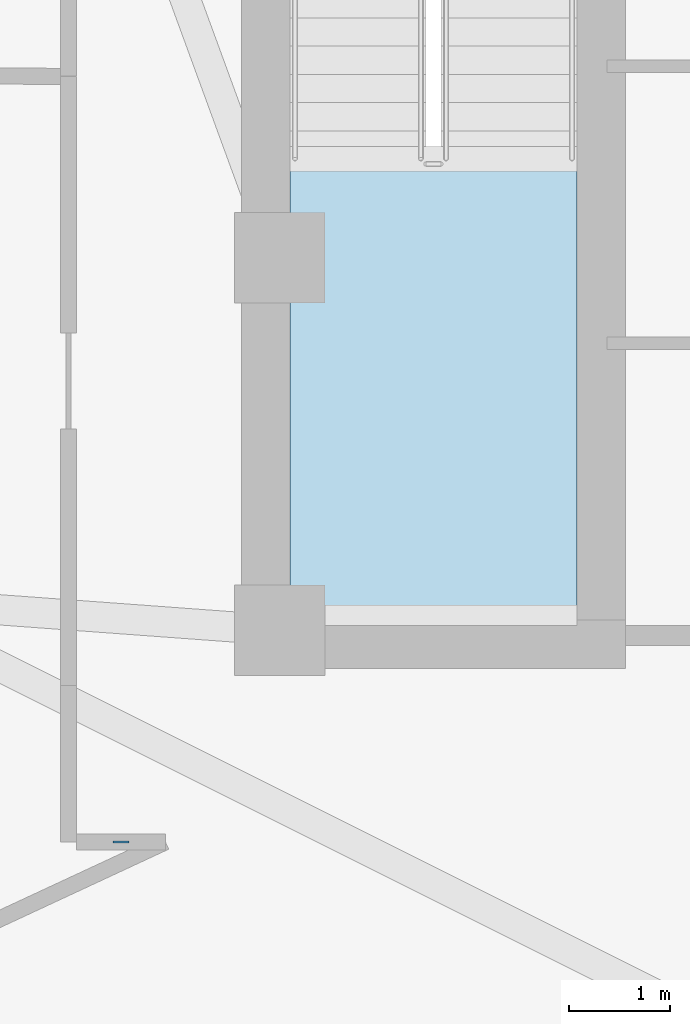
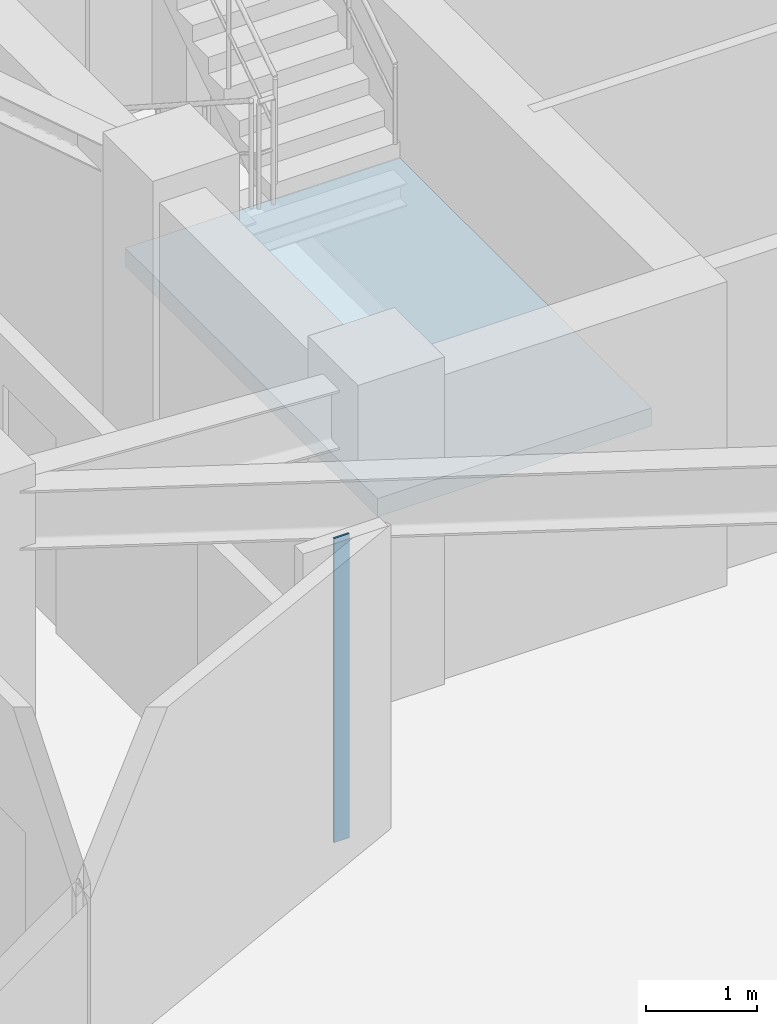
# One storey, part 2 of 10: 1 plate, 1 slab, 1 element without a shape of its own.
"""IFC4 building model written with IfcOpenShell, lengths in metres."""

from ifc_helpers import new_model, si_unit, direction, frame, origin, origin_2d, place, context, subcontext, project, spatial, polyline, rectangle, outline, extrude, material, layer, layer_set, type_object, element, aggregate, save


model = new_model("IFC4")

# Units and contexts
model_context = context("Model", 3, precision=1e-05, world=origin(), true_north=direction((0.0, 1.0)))
body_context = subcontext(model_context, "Body", "Model", "MODEL_VIEW")
ifc_project = project(units=[si_unit("LENGTHUNIT", "METRE"), si_unit("AREAUNIT", "SQUARE_METRE"), si_unit("VOLUMEUNIT", "CUBIC_METRE"), si_unit("PLANEANGLEUNIT", "RADIAN"), si_unit("MASSUNIT", "GRAM", prefix="KILO")], contexts=[model_context])

# Site, building, storey
site_placement = place(None, origin())
site = spatial("IfcSite", under=ifc_project, at=site_placement, CompositionType="ELEMENT")
building_placement = place(site_placement, origin())
building = spatial("IfcBuilding", under=site, at=building_placement, Name="Miruveldt Soraemaru", CompositionType="ELEMENT")
storey_placement = place(building_placement, frame((0.0, 0.0, 226.800048828125)))
storey = spatial("IfcBuildingStorey", under=building, at=storey_placement, Name="L62", CompositionType="ELEMENT", Elevation=226.800048828125)

# Plate
ifc_material_1 = material(Name="Anodised aluminium EN AW-6063 T6", Category="aluminium")
ifc_layer_1 = layer(ifc_material_1, 0.02001953125, Name="Anodised aluminium EN AW-6063 T6", Category="aluminium")
ifc_layer_set_1 = layer_set([ifc_layer_1], Name="Anodised aluminium EN AW-6063 T6")
plate_type = type_object("IfcPlateType", Name="PLT-PART-TRIM", PredefinedType="SHEET", material=ifc_layer_set_1)
plate_placement = place(storey_placement, frame((33.92138671875, 33.39990234375, 0.0), z_axis=(0.0, 0.0, 1.0), x_axis=(1.0, 0.0, 0.0)))
element("IfcPlate", 1, at=plate_placement, inside=storey, type_object=plate_type, Name="L62 Partition Step Corner Trim Plate 006", PredefinedType="SHEET", context=body_context, shape_type="SweptSolid", body=[
    extrude(rectangle(XDim=0.159912109375, YDim=0.02001953125, at=origin_2d()), origin(), (0.0, 0.0, 1.0), 3.344970703125),
])

# Stair, slab
ifc_material_2 = material(Name="Concrete C40/50 (40 MPa)", Category="concrete")
stair_type = type_object("IfcStairType", Name="STAIR-DL-360", PredefinedType="HALF_TURN_STAIR", material=ifc_material_2)
stair_placement = place(storey_placement, origin())
stair = element("IfcStair", 2, at=stair_placement, inside=storey, type_object=stair_type, Name="L62 Protected Exit Stair ST-1", PredefinedType="HALF_TURN_STAIR")
ifc_layer_2 = layer(ifc_material_2, 0.199951171875, Name="Concrete C40/50 (40 MPa)", Category="concrete")
ifc_layer_set_2 = layer_set([ifc_layer_2], Name="Concrete C40/50 (40 MPa)")
slab_type = type_object("IfcSlabType", Name="SLAB-LAND-200", PredefinedType="LANDING", material=ifc_layer_set_2)
slab_placement = place(storey_placement, frame((0.0, 0.0, 1.599853515625)))
slab = element("IfcSlab", 3, at=slab_placement, type_object=slab_type, Name="ST-1 landing 1", PredefinedType="LANDING", context=body_context, shape_type="SweptSolid", body=[
    extrude(outline(polyline([(35.60009765625, 40.197998046875), (35.60009765625, 35.64990234375), (38.449951171875, 35.64990234375), (38.449951171875, 40.197998046875), (35.60009765625, 40.197998046875)])), origin(), (0.0, 0.0, 1.0), 0.2001953125),
])
aggregate(stair, [slab])

save(model, "model.ifc")
